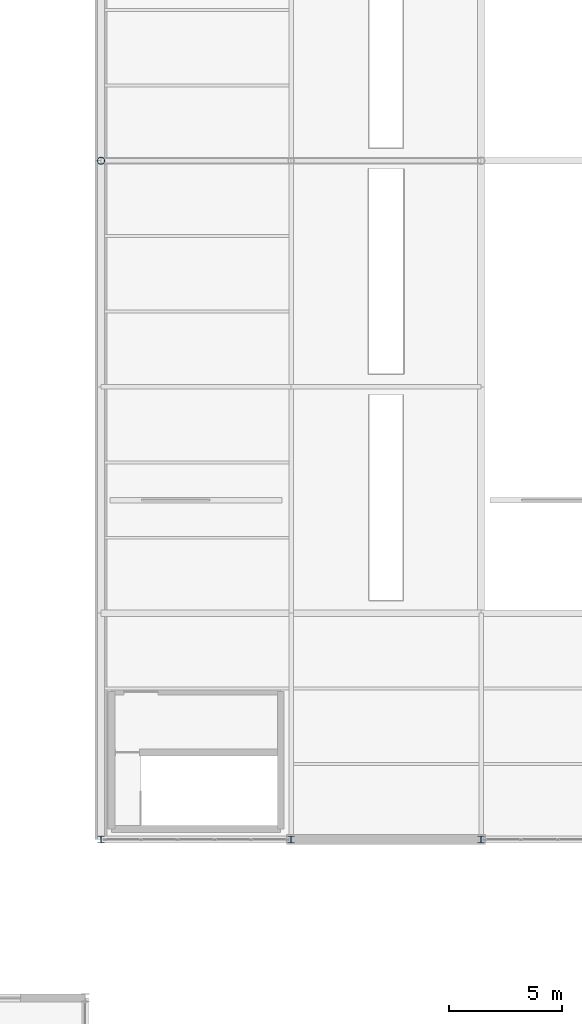
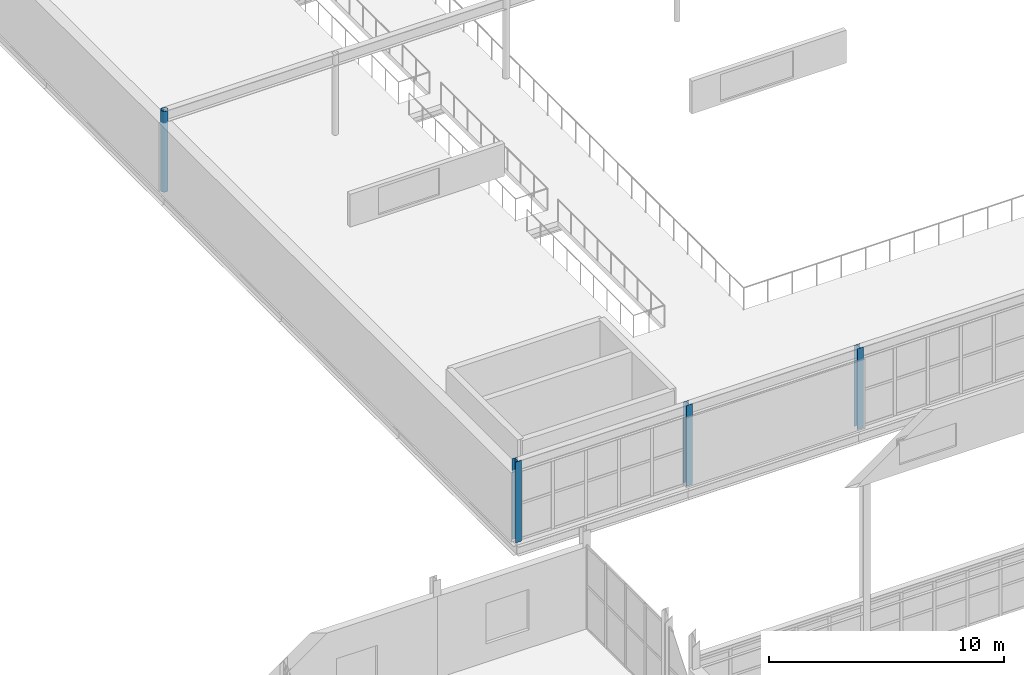
# One storey, part 11 of 218: 4 columns.
"""IFC4 building model written with IfcOpenShell, lengths in metres."""

from ifc_helpers import new_model, si_unit, direction, frame, origin, origin_2d, place, context, subcontext, project, spatial, hollow_circle, i_section, extrude, material, material_profile, profile_set, type_object, element, save


model = new_model("IFC4")

# Units and contexts
model_context = context("Model", 3, precision=1e-05, world=origin(), true_north=direction((0.0, 1.0)))
body_context = subcontext(model_context, "Body", "Model", "MODEL_VIEW")
ifc_project = project(units=[si_unit("LENGTHUNIT", "METRE"), si_unit("AREAUNIT", "SQUARE_METRE"), si_unit("VOLUMEUNIT", "CUBIC_METRE"), si_unit("PLANEANGLEUNIT", "RADIAN"), si_unit("MASSUNIT", "GRAM", prefix="KILO")], contexts=[model_context])

# Site, building, storey
site_placement = place(None, origin())
site = spatial("IfcSite", under=ifc_project, at=site_placement, CompositionType="ELEMENT")
building_placement = place(site_placement, origin())
building = spatial("IfcBuilding", under=site, at=building_placement, Name="Kazenagashi Tramway Depot", CompositionType="ELEMENT")
storey_placement = place(building_placement, frame((0.0, 0.0, 6.0)))
storey = spatial("IfcBuildingStorey", under=building, at=storey_placement, Name="L02", CompositionType="ELEMENT", Elevation=6.0)

# Columns
ifc_material_1 = material(Name="Steel SN490B", Category="steel")
ifc_material_profile_1 = material_profile(ifc_material_1, i_section(OverallWidth=0.3, OverallDepth=0.3, WebThickness=0.01, FlangeThickness=0.015, at=origin_2d()), Name="H-300x300x10x15")
ifc_profile_set_1 = profile_set([ifc_material_profile_1], Name="Steel SN490B")
column_type_1 = type_object("IfcColumnType", Name="C-05", PredefinedType="COLUMN", material=ifc_profile_set_1)
for number, where, z_axis, x_axis, name in (
    (1, (44.8, 70.0, 0.0), (0.0, 0.0, 1.0), (1.0, 0.0, 0.0), "Column C-05 COL-0002"),
    (2, (53.2, 70.0, 0.0), (0.0, 0.0, 1.0), (1.0, 0.0, 0.0), "Column C-05 COL-0008"),
    (3, (61.6, 70.0, 0.0), (0.0, 0.0, 1.0), (1.0, 0.0, 0.0), "Column C-05 COL-0014"),
):
    element("IfcColumn", number, at=place(storey_placement, frame(where, z_axis=z_axis, x_axis=x_axis)), inside=storey, type_object=column_type_1, Name=name, PredefinedType="COLUMN", context=body_context, shape_type="SweptSolid", body=[
        extrude(i_section(OverallWidth=0.3, OverallDepth=0.3, WebThickness=0.01, FlangeThickness=0.015, at=origin_2d()), origin(), (0.0, 0.0, 1.0), 4.2),
    ])
ifc_material_2 = material(Name="Steel STK490", Category="steel")
ifc_material_profile_2 = material_profile(ifc_material_2, hollow_circle(Radius=0.15925, WallThickness=0.0103, at=origin_2d()), Name="CHS-318.5x10.3")
ifc_profile_set_2 = profile_set([ifc_material_profile_2], Name="Steel STK490")
column_type_2 = type_object("IfcColumnType", Name="C-18", PredefinedType="COLUMN", material=ifc_profile_set_2)
column_placement = place(storey_placement, frame((44.8, 100.0, 0.0), z_axis=(0.0, 0.0, 1.0), x_axis=(1.0, 0.0, 0.0)))
element("IfcColumn", 4, at=column_placement, inside=storey, type_object=column_type_2, Name="Column C-18 COL-0004", PredefinedType="COLUMN", context=body_context, shape_type="SweptSolid", body=[
    extrude(hollow_circle(Radius=0.15925, WallThickness=0.0103, at=origin_2d()), origin(), (0.0, 0.0, 1.0), 4.2),
])

save(model, "model.ifc")
